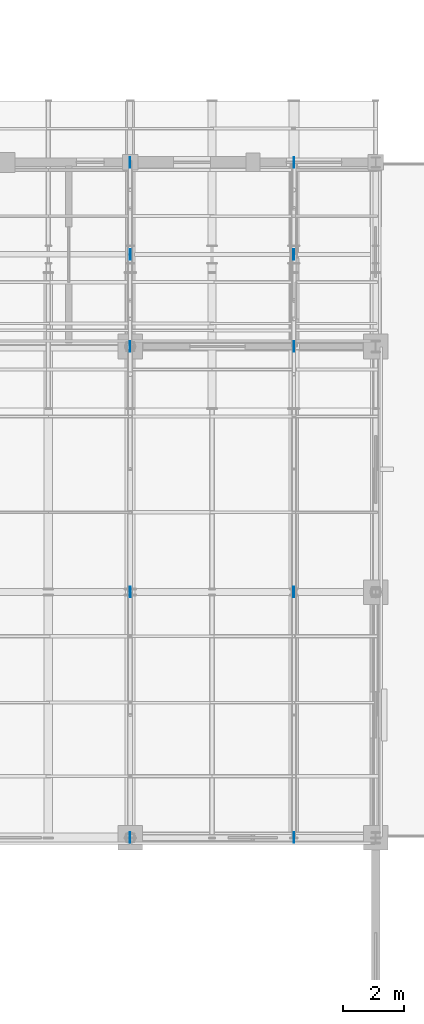
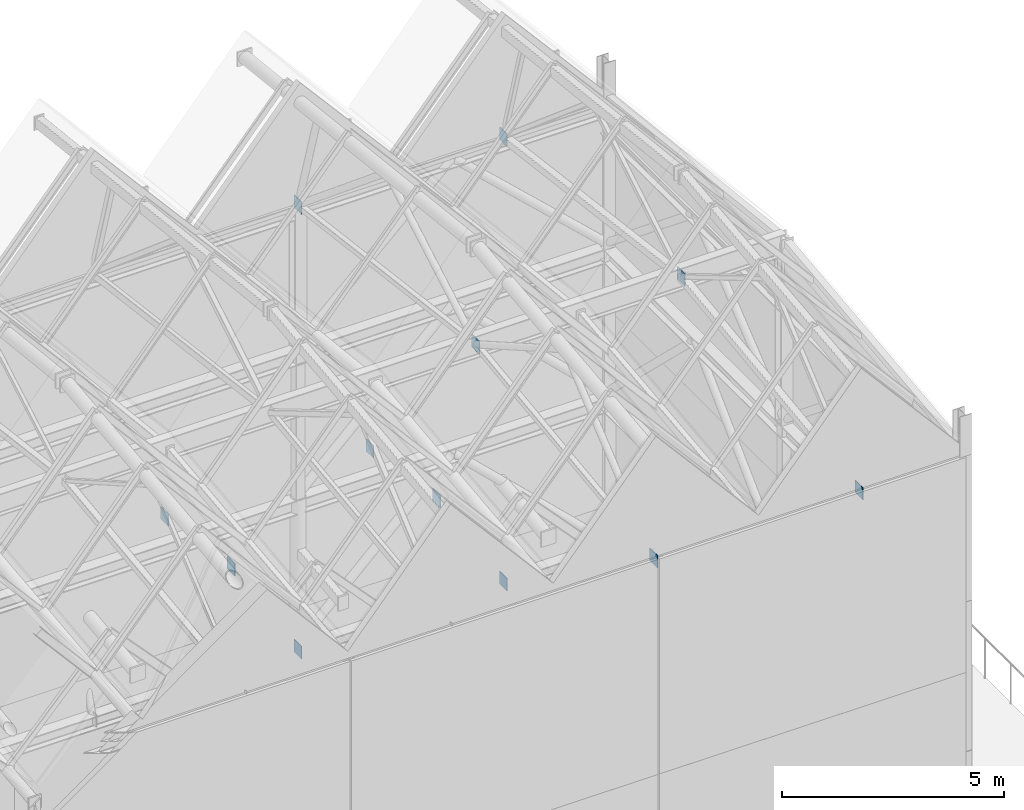
# One storey, part 27 of 48: 12 plates.
"""IFC4 building model written with IfcOpenShell, lengths in metres."""

from ifc_helpers import new_model, si_unit, direction, frame, origin, origin_2d, place, context, subcontext, project, spatial, rectangle, extrude, material, layer, layer_set, type_object, element, save


model = new_model("IFC4")

# Units and contexts
model_context = context("Model", 3, precision=1e-05, world=origin(), true_north=direction((0.0, 1.0)))
body_context = subcontext(model_context, "Body", "Model", "MODEL_VIEW")
ifc_project = project(units=[si_unit("LENGTHUNIT", "METRE"), si_unit("AREAUNIT", "SQUARE_METRE"), si_unit("VOLUMEUNIT", "CUBIC_METRE"), si_unit("PLANEANGLEUNIT", "RADIAN"), si_unit("MASSUNIT", "GRAM", prefix="KILO")], contexts=[model_context])

# Site, building, storey
site_placement = place(None, origin())
site = spatial("IfcSite", under=ifc_project, at=site_placement, CompositionType="ELEMENT")
building_placement = place(site_placement, origin())
building = spatial("IfcBuilding", under=site, at=building_placement, Name="Luwemba Playhouse", CompositionType="ELEMENT")
storey_placement = place(building_placement, frame((0.0, 0.0, 13.800048828125)))
storey = spatial("IfcBuildingStorey", under=building, at=storey_placement, Name="L03", CompositionType="ELEMENT", Elevation=13.800048828125)

# Plates
ifc_material = material(Name="Steel S355", Category="steel")
ifc_layer_1 = layer(ifc_material, 0.01611328125)
ifc_layer_set_1 = layer_set([ifc_layer_1], Name="Steel S355")
plate_type_1 = type_object("IfcPlateType", Name="PLT-GP1", PredefinedType="USERDEFINED", material=ifc_layer_set_1)
for number, where, z_axis, x_axis, name in (
    (1, (36.0, 84.0, 16.4296875), (0.0, 0.0, 1.0), (1.0, 0.0, 0.0), "Truss node gusset cap plate 0036"),
    (2, (41.333251953125, 84.0, 16.4296875), (0.0, 0.0, 1.0), (1.0, 0.0, 0.0), "Truss node gusset cap plate 0039"),
    (3, (36.0, 90.0, 4.22998046875), (0.0, 0.0, 1.0), (1.0, 0.0, 0.0), "Truss node gusset cap plate 0066"),
    (4, (41.333251953125, 90.0, 4.22998046875), (0.0, 0.0, 1.0), (1.0, 0.0, 0.0), "Truss node gusset cap plate 0069"),
):
    element("IfcPlate", number, at=place(storey_placement, frame(where, z_axis=z_axis, x_axis=x_axis)), inside=storey, type_object=plate_type_1, Name=name, ObjectType="GUSSET PLATE", PredefinedType="USERDEFINED", context=body_context, shape_type="SweptSolid", body=[
        extrude(rectangle(XDim=0.01611328125, YDim=0.340087890625, at=origin_2d()), origin(), (0.0, 0.0, 1.0), 0.340087890625),
    ])
ifc_layer_2 = layer(ifc_material, 0.02001953125)
ifc_layer_set_2 = layer_set([ifc_layer_2], Name="Steel S355")
plate_type_2 = type_object("IfcPlateType", Name="PLT-GP2", PredefinedType="USERDEFINED", material=ifc_layer_set_2)
for number, where, z_axis, x_axis, name in (
    (5, (36.0, 68.0, 16.4296875), (0.0, 0.0, 1.0), (1.0, 0.0, 0.0), "Truss node gusset cap plate 0034"),
    (6, (41.333251953125, 68.0, 16.4296875), (0.0, 0.0, 1.0), (1.0, 0.0, 0.0), "Truss node gusset cap plate 0037"),
    (7, (36.0, 84.0, 4.22998046875), (0.0, 0.0, 1.0), (1.0, 0.0, 0.0), "Truss node gusset cap plate 0064"),
    (8, (41.333251953125, 84.0, 4.22998046875), (0.0, 0.0, 1.0), (1.0, 0.0, 0.0), "Truss node gusset cap plate 0067"),
):
    element("IfcPlate", number, at=place(storey_placement, frame(where, z_axis=z_axis, x_axis=x_axis)), inside=storey, type_object=plate_type_2, Name=name, ObjectType="GUSSET PLATE", PredefinedType="USERDEFINED", context=body_context, shape_type="SweptSolid", body=[
        extrude(rectangle(XDim=0.02001953125, YDim=0.340087890625, at=origin_2d()), origin(), (0.0, 0.0, 1.0), 0.340087890625),
    ])
ifc_layer_3 = layer(ifc_material, 0.02490234375)
ifc_layer_set_3 = layer_set([ifc_layer_3], Name="Steel S355")
plate_type_3 = type_object("IfcPlateType", Name="PLT-GP3", PredefinedType="USERDEFINED", material=ifc_layer_set_3)
for number, where, z_axis, x_axis, name in (
    (9, (36.0, 76.0, 17.447265625), (0.0, 0.0, 1.0), (1.0, 0.0, 0.0), "Truss node gusset cap plate 0035"),
    (10, (41.333251953125, 76.0, 17.447265625), (0.0, 0.0, 1.0), (1.0, 0.0, 0.0), "Truss node gusset cap plate 0038"),
    (11, (36.0, 87.0, 4.6865234375), (0.0, 0.0, 1.0), (1.0, 0.0, 0.0), "Truss node gusset cap plate 0065"),
    (12, (41.333251953125, 87.0, 4.6865234375), (0.0, 0.0, 1.0), (1.0, 0.0, 0.0), "Truss node gusset cap plate 0068"),
):
    element("IfcPlate", number, at=place(storey_placement, frame(where, z_axis=z_axis, x_axis=x_axis)), inside=storey, type_object=plate_type_3, Name=name, ObjectType="GUSSET PLATE", PredefinedType="USERDEFINED", context=body_context, shape_type="SweptSolid", body=[
        extrude(rectangle(XDim=0.02490234375, YDim=0.340087890625, at=origin_2d()), origin(), (0.0, 0.0, 1.0), 0.340087890625),
    ])

save(model, "model.ifc")
